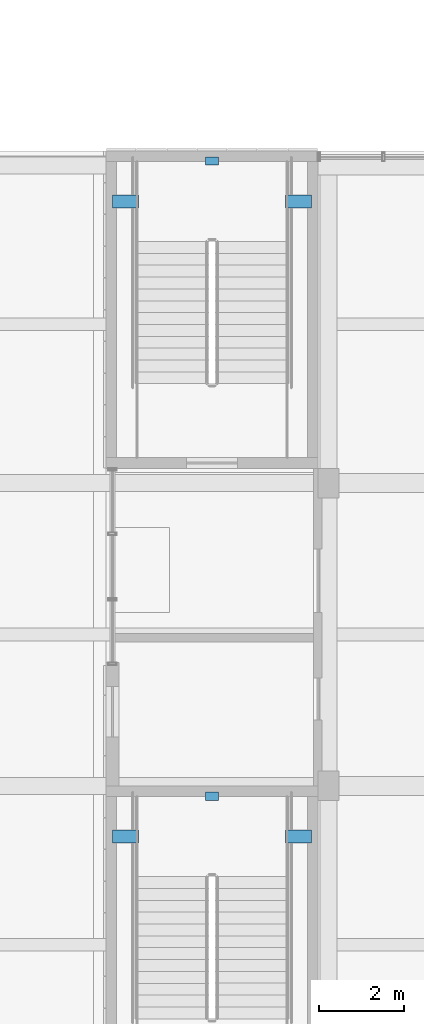
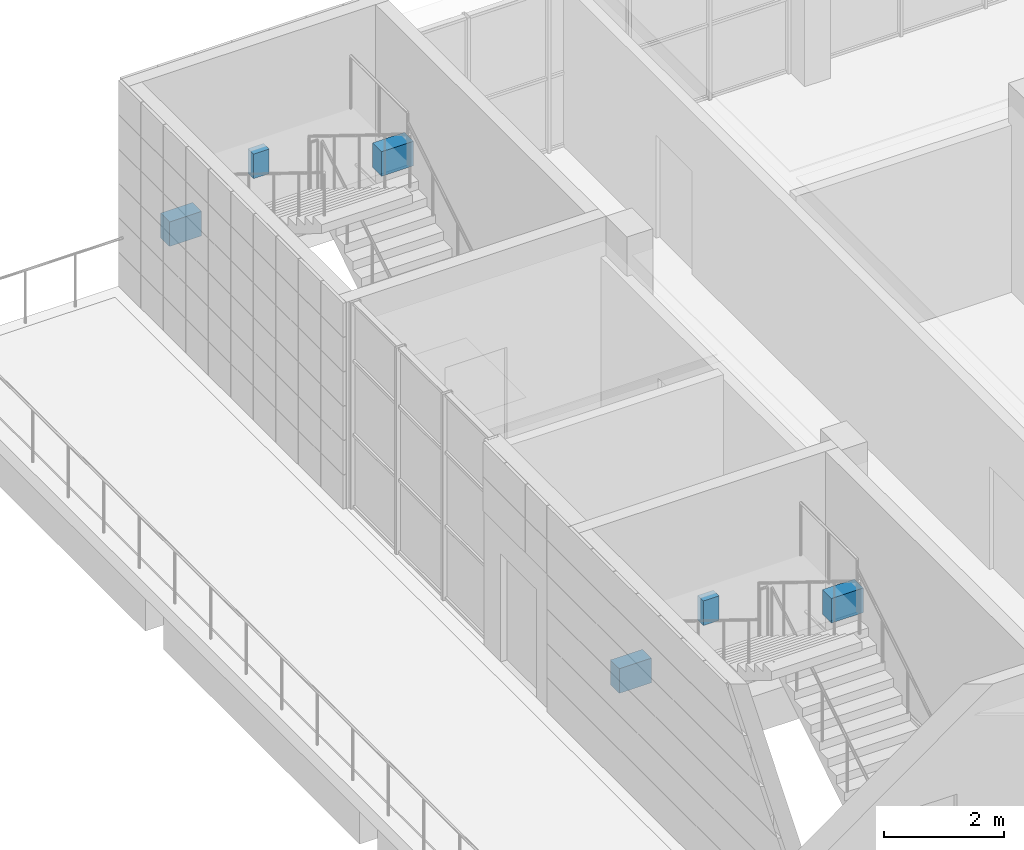
# One storey, part 18 of 36: 6 beams.
"""IFC4 building model written with IfcOpenShell, lengths in metres."""

import ifcopenshell
import ifcopenshell.guid

model = None  # the IFC model being written
_history = None  # IfcOwnerHistory: only IFC2X3 demands one
_inside = {}  # id of a spatial element -> (the spatial element, [elements in it])
_under = {}  # id of a project, library or spatial element -> (it, [spatial elements below it])
_declared = {}  # id of a project -> (the project, [libraries it declares])
_typed = {}  # id of a type object -> (the type object, [elements of that type])
_made_of = {}  # id of a material, layer set ... -> (it, [elements and type objects made of it])


def new_model(schema):
    """Start an empty IFC model of exactly this schema.

    Asked for "IFC4X3", IfcOpenShell would pick the latest addendum, in which some entities
    have other attributes; the version numbers below select the first issue.
    IFC2X3 requires an IfcOwnerHistory on every rooted entity: one is made here for all.
    """
    global model, _history
    if schema == "IFC4X3":
        model = ifcopenshell.file(schema_version=(4, 3, 0, 0))
    else:
        model = ifcopenshell.file(schema=schema)
    _inside.clear()
    _under.clear()
    _declared.clear()
    _typed.clear()
    _made_of.clear()
    _history = None
    if model.schema == "IFC2X3":
        org = make("IfcOrganization", Name="unknown")
        user = make(
            "IfcPersonAndOrganization",
            ThePerson=make("IfcPerson", FamilyName="unknown"),
            TheOrganization=org,
        )
        app = make(
            "IfcApplication",
            ApplicationDeveloper=org,
            Version="unknown",
            ApplicationFullName="unknown",
            ApplicationIdentifier="unknown",
        )
        _history = make(
            "IfcOwnerHistory",
            OwningUser=user,
            OwningApplication=app,
            ChangeAction="ADDED",
            CreationDate=0,
        )
    return model


def make(cls, **values):
    """One entity of the class cls with the attributes given. An attribute that is None is left unset."""
    return model.create_entity(
        cls, **{name: value for name, value in values.items() if value is not None}
    )


def rooted(cls, **values):
    """An entity with a GlobalId (a new one), such as an element, a storey or a relation."""
    return make(cls, GlobalId=ifcopenshell.guid.new(), OwnerHistory=_history, **values)


def si_unit(unit_type, name, prefix=None):
    """IfcSIUnit, for example si_unit("LENGTHUNIT", "METRE", prefix="MILLI")."""
    return make("IfcSIUnit", UnitType=unit_type, Prefix=prefix, Name=name)


def assignment(units):
    """IfcUnitAssignment: the units of a project."""
    return None if units is None else make("IfcUnitAssignment", Units=units)


def point(xyz):
    """IfcCartesianPoint."""
    return None if xyz is None else make("IfcCartesianPoint", Coordinates=xyz)


def direction(xyz):
    """IfcDirection."""
    return None if xyz is None else make("IfcDirection", DirectionRatios=xyz)


def frame(location, z_axis=None, x_axis=None):
    """IfcAxis2Placement3D, a coordinate frame: its origin and axes. An axis left out is left unset."""
    return make(
        "IfcAxis2Placement3D",
        Location=point(location),
        Axis=direction(z_axis),
        RefDirection=direction(x_axis),
    )


def frame_2d(location, x_axis=None):
    """IfcAxis2Placement2D, a coordinate frame in the plane: its origin and x axis."""
    return make(
        "IfcAxis2Placement2D", Location=point(location), RefDirection=direction(x_axis)
    )


def origin():
    """The frame at (0, 0, 0) with its axes left unset."""
    return frame((0.0, 0.0, 0.0))


def origin_2d():
    """The frame at (0, 0) in the plane with its x axis left unset."""
    return frame_2d((0.0, 0.0))


def place(relative_to, where):
    """IfcLocalPlacement: puts the frame where relative to a parent placement (None: the world)."""
    return make(
        "IfcLocalPlacement", PlacementRelTo=relative_to, RelativePlacement=where
    )


def context(
    kind, dimensions, precision=None, world=None, true_north=None, identifier=None
):
    """IfcGeometricRepresentationContext, for example the 3D "Model" context."""
    return make(
        "IfcGeometricRepresentationContext",
        ContextIdentifier=identifier,
        ContextType=kind,
        CoordinateSpaceDimension=dimensions,
        Precision=precision,
        WorldCoordinateSystem=world,
        TrueNorth=true_north,
    )


def subcontext(parent, identifier, kind, view, scale=None):
    """IfcGeometricRepresentationSubContext, for example "Body" below "Model"."""
    return make(
        "IfcGeometricRepresentationSubContext",
        ContextIdentifier=identifier,
        ContextType=kind,
        ParentContext=parent,
        TargetScale=scale,
        TargetView=view,
    )


def project(units=None, contexts=None):
    """IfcProject with its units and contexts."""
    return rooted(
        "IfcProject",
        Name="project",
        RepresentationContexts=contexts,
        UnitsInContext=assignment(units),
    )


def spatial(cls, under=None, at=None, **own):
    """A site, building, storey or space (cls), placed at a placement, below another one or the project."""
    s = rooted(cls, ObjectPlacement=at, **own)
    if under is not None:
        _under.setdefault(under.id(), (under, []))[1].append(s)
    return s


def profile(cls, at=None, kind="AREA", **sizes):
    """A parametric profile (cls). Its sizes go by their IFC names, for example OverallWidth=200.0."""
    return make(cls, ProfileType=kind, Position=at, **sizes)


def rectangle(**sizes):
    """IfcRectangleProfileDef."""
    return profile("IfcRectangleProfileDef", **sizes)


def extrude(swept, where, along, depth):
    """IfcExtrudedAreaSolid: the profile swept, set in the frame where, extruded along a direction by depth."""
    return make(
        "IfcExtrudedAreaSolid",
        SweptArea=swept,
        Position=where,
        ExtrudedDirection=direction(along),
        Depth=depth,
    )


def shape(context_of_items, identifier, shape_type, items):
    """IfcShapeRepresentation: the items that make up one representation, for example the "Body"."""
    return make(
        "IfcShapeRepresentation",
        ContextOfItems=context_of_items,
        RepresentationIdentifier=identifier,
        RepresentationType=shape_type,
        Items=items,
    )


def material(Name=None, Category=None):
    """IfcMaterial."""
    return make("IfcMaterial", Name=Name, Category=Category)


def material_profile(
    of_material, cross_section, Name=None, Category=None, Priority=None
):
    """IfcMaterialProfile: a cross section and its material."""
    return make(
        "IfcMaterialProfile",
        Name=Name,
        Material=of_material,
        Profile=cross_section,
        Priority=Priority,
        Category=Category,
    )


def profile_set(profiles, Name=None, composite=None):
    """IfcMaterialProfileSet."""
    return make(
        "IfcMaterialProfileSet",
        Name=Name,
        MaterialProfiles=profiles,
        CompositeProfile=composite,
    )


def made_of(thing, what):
    """Note that an element or type object is made of a material, layer set ...; save() writes the relation."""
    if what is not None:
        _made_of.setdefault(what.id(), (what, []))[1].append(thing)
    return thing


def type_object(cls, material=None, **own):
    """A type object (cls), such as IfcWallType, which elements share."""
    return made_of(rooted(cls, **own), material)


def element(
    cls,
    number,
    at=None,
    inside=None,
    cuts=None,
    type_object=None,
    material=None,
    context=None,
    identifier="Body",
    shape_type=None,
    held_by="IfcProductDefinitionShape",
    body=None,
    shapes=None,
    **own,
):
    """One element of the class cls, such as IfcWall. Its Tag is "e" and its number.

    at: its placement. inside: the storey or other place that contains it. cuts: it is an
    opening in that element (IfcRelVoidsElement). A single representation is given by context,
    identifier, shape_type and body (its items); several are given by shapes. held_by: the class
    of the entity that holds the representations. save() writes the other relations.
    """
    e = rooted(cls, Tag="e%d" % number, ObjectPlacement=at, **own)
    if body is not None:
        shapes = [shape(context, identifier, shape_type, body)]
    if shapes is not None:
        e.Representation = make(held_by, Representations=shapes)
    if inside is not None:
        _inside.setdefault(inside.id(), (inside, []))[1].append(e)
    if cuts is not None:
        rooted(
            "IfcRelVoidsElement", RelatingBuildingElement=cuts, RelatedOpeningElement=e
        )
    if type_object is not None:
        _typed.setdefault(type_object.id(), (type_object, []))[1].append(e)
    return made_of(e, material)


def aggregate(whole, parts):
    """IfcRelAggregates: a whole, such as a stair, and the parts it consists of."""
    return rooted("IfcRelAggregates", RelatingObject=whole, RelatedObjects=parts)


def save(model, path):
    """Write the relations noted so far, then the file.

    IfcRelAggregates (storeys below a building ...), IfcRelContainedInSpatialStructure (elements
    in a storey), IfcRelDefinesByType, IfcRelAssociatesMaterial and IfcRelDeclares: one each for
    every whole, place, type object, material and project.
    """
    for whole, parts in _under.values():
        aggregate(whole, parts)
    for where, things in _inside.values():
        rooted(
            "IfcRelContainedInSpatialStructure",
            RelatedElements=things,
            RelatingStructure=where,
        )
    for kind, things in _typed.values():
        rooted("IfcRelDefinesByType", RelatedObjects=things, RelatingType=kind)
    for what, things in _made_of.values():
        rooted("IfcRelAssociatesMaterial", RelatedObjects=things, RelatingMaterial=what)
    for by, libraries in _declared.values():
        rooted("IfcRelDeclares", RelatingContext=by, RelatedDefinitions=libraries)
    model.write(path)


model = new_model("IFC4")

# Units and contexts
model_context = context("Model", 3, precision=1e-05, world=origin(), true_north=direction((0.0, 1.0)))
body_context = subcontext(model_context, "Body", "Model", "MODEL_VIEW")
ifc_project = project(units=[si_unit("LENGTHUNIT", "METRE"), si_unit("AREAUNIT", "SQUARE_METRE"), si_unit("VOLUMEUNIT", "CUBIC_METRE"), si_unit("PLANEANGLEUNIT", "RADIAN"), si_unit("MASSUNIT", "GRAM", prefix="KILO")], contexts=[model_context])

# Site, building, storey
site_placement = place(None, origin())
site = spatial("IfcSite", under=ifc_project, at=site_placement, CompositionType="ELEMENT")
building_placement = place(site_placement, origin())
building = spatial("IfcBuilding", under=site, at=building_placement, Name="Sun Court Science Centre", CompositionType="ELEMENT")
storey_placement = place(building_placement, frame((0.0, 0.0, 24.75)))
storey = spatial("IfcBuildingStorey", under=building, at=storey_placement, Name="L05", CompositionType="ELEMENT", Elevation=24.75)

# Beams
ifc_material = material(Name="Concrete C25/30", Category="concrete")
ifc_material_profile = material_profile(ifc_material, rectangle(XDim=0.300048828125, YDim=0.5, at=origin_2d()), Name="RC 300x500")
ifc_profile_set = profile_set([ifc_material_profile], Name="Concrete C25/30")
beam_type = type_object("IfcBeamType", Name="RC landing trimmer 300x500", PredefinedType="BEAM", material=ifc_profile_set)
for number, where, z_axis, x_axis, name in (
    (1, (86.85009765625, 64.803955078125, 1.800048828125), (-1.0, 0.0, 0.0), (0.0, -1.0, 0.0), "SL3 landing 1 trimmer beam 28"),
    (2, (82.14990234375, 64.803955078125, 1.800048828125), (1.0, 0.0, 0.0), (0.0, 1.0, 0.0), "SL3 landing 1 trimmer beam 29"),
):
    element("IfcBeam", number, at=place(storey_placement, frame(where, z_axis=z_axis, x_axis=x_axis)), inside=storey, type_object=beam_type, Name=name, PredefinedType="BEAM", context=body_context, shape_type="SweptSolid", body=[
        extrude(rectangle(XDim=0.300048828125, YDim=0.5, at=origin_2d()), origin(), (0.0, 0.0, 1.0), 0.6171875),
    ])
beam_1_placement = place(storey_placement, frame((84.5, 65.85009765625, 1.800048828125), z_axis=(0.0, -1.0, 0.0), x_axis=(1.0, 0.0, 0.0)))
element("IfcBeam", 3, at=beam_1_placement, inside=storey, type_object=beam_type, Name="SL3 landing 1 trimmer beam 30", PredefinedType="BEAM", context=body_context, shape_type="SweptSolid", body=[
    extrude(rectangle(XDim=0.300048828125, YDim=0.5, at=origin_2d()), origin(), (0.0, 0.0, 1.0), 0.190185546875),
])
for number, where, z_axis, x_axis, name in (
    (4, (86.85009765625, 79.803955078125, 1.800048828125), (-1.0, 0.0, 0.0), (0.0, -1.0, 0.0), "SL4 landing 1 trimmer beam 28"),
    (5, (82.14990234375, 79.803955078125, 1.800048828125), (1.0, 0.0, 0.0), (0.0, 1.0, 0.0), "SL4 landing 1 trimmer beam 29"),
):
    element("IfcBeam", number, at=place(storey_placement, frame(where, z_axis=z_axis, x_axis=x_axis)), inside=storey, type_object=beam_type, Name=name, PredefinedType="BEAM", context=body_context, shape_type="SweptSolid", body=[
        extrude(rectangle(XDim=0.300048828125, YDim=0.5, at=origin_2d()), origin(), (0.0, 0.0, 1.0), 0.6171875),
    ])
beam_2_placement = place(storey_placement, frame((84.5, 80.85009765625, 1.800048828125), z_axis=(0.0, -1.0, 0.0), x_axis=(1.0, 0.0, 0.0)))
element("IfcBeam", 6, at=beam_2_placement, inside=storey, type_object=beam_type, Name="SL4 landing 1 trimmer beam 30", PredefinedType="BEAM", context=body_context, shape_type="SweptSolid", body=[
    extrude(rectangle(XDim=0.300048828125, YDim=0.5, at=origin_2d()), origin(), (0.0, 0.0, 1.0), 0.190185546875),
])

save(model, "model.ifc")
